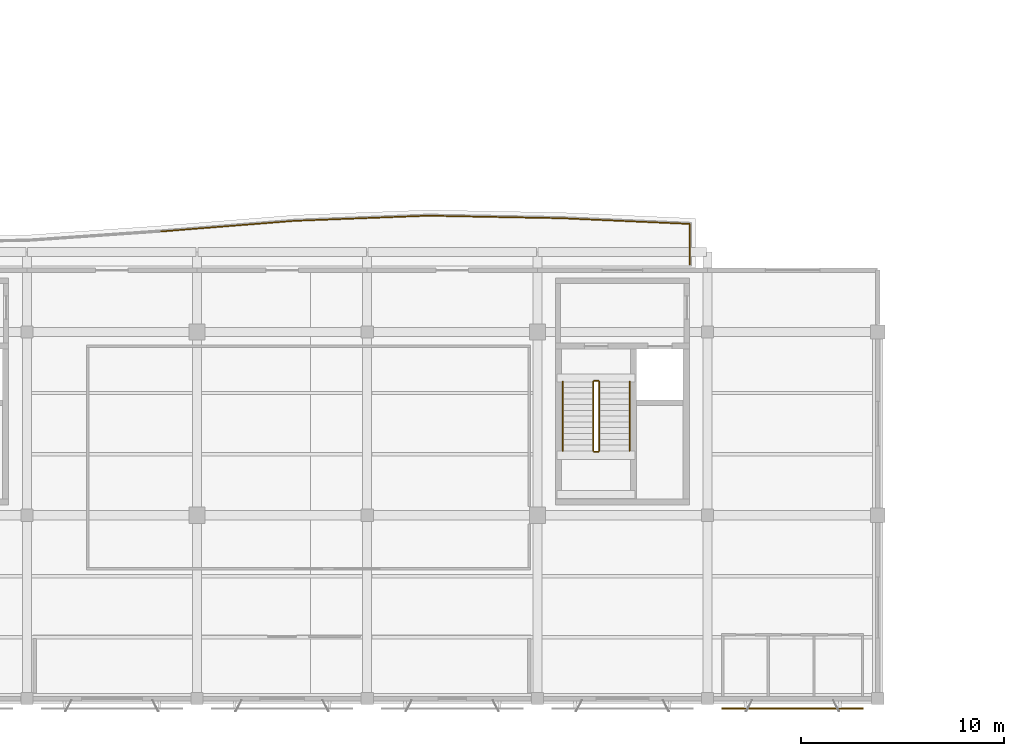
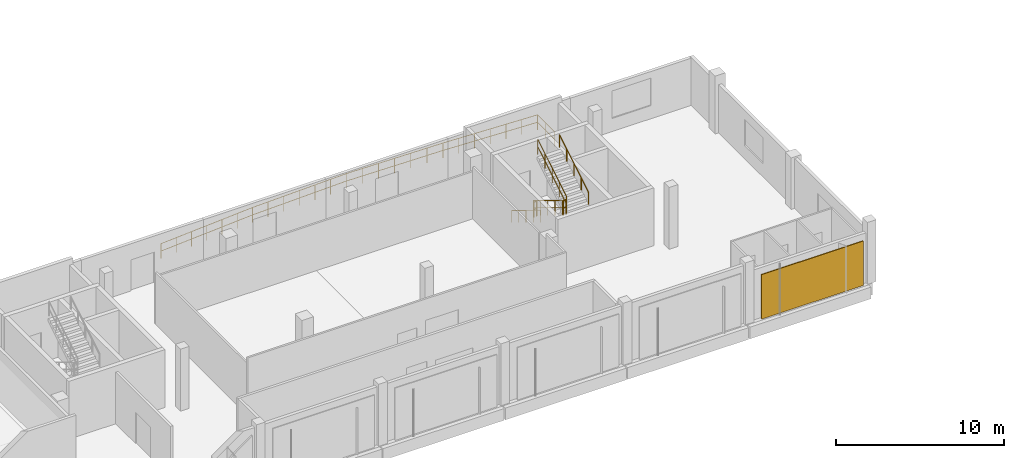
# One storey, part 27 of 28: 11 railings, 1 shading device.
"""IFC4 building model written with IfcOpenShell, lengths in metres."""

from ifc_helpers import new_model, si_unit, direction, frame, origin, origin_2d, place, context, subcontext, project, spatial, rectangle, circle, extrude, material, layer, layer_set, type_object, element, save


model = new_model("IFC4")

# Units and contexts
model_context = context("Model", 3, precision=1e-05, world=origin(), true_north=direction((0.0, 1.0)))
body_context = subcontext(model_context, "Body", "Model", "MODEL_VIEW")
ifc_project = project(units=[si_unit("LENGTHUNIT", "METRE"), si_unit("AREAUNIT", "SQUARE_METRE"), si_unit("VOLUMEUNIT", "CUBIC_METRE"), si_unit("PLANEANGLEUNIT", "RADIAN"), si_unit("MASSUNIT", "GRAM", prefix="KILO")], contexts=[model_context])

# Site, building, storey
site_placement = place(None, origin())
site = spatial("IfcSite", under=ifc_project, at=site_placement, CompositionType="ELEMENT")
building_placement = place(site_placement, origin())
building = spatial("IfcBuilding", under=site, at=building_placement, Name="Khurvash Pelagic Aquarium", CompositionType="ELEMENT")
storey_placement = place(building_placement, frame((0.0, 0.0, 20.10009765625)))
storey = spatial("IfcBuildingStorey", under=building, at=storey_placement, Name="L04", CompositionType="ELEMENT", Elevation=20.10009765625)

# Railings
ifc_material_1 = material(Name="Laminated glass and stainless steel 316", Category="steel")
railing_type_1 = type_object("IfcRailingType", Name="BL-01", PredefinedType="BALUSTRADE", material=ifc_material_1)
railing_1_placement = place(storey_placement, frame((73.822021484375, 25.657958984375, 0.0)))
element("IfcRailing", 1, at=railing_1_placement, inside=storey, type_object=railing_type_1, Name="L04 Planted Terrace Perimeter Balustrade BL-01 0063", PredefinedType="BALUSTRADE", context=body_context, shape_type="SweptSolid", body=[
    extrude(circle(Radius=0.02392578125, at=origin_2d()), frame((0.0, 0.0, 1.076171875), z_axis=(0.996832971573, 0.079523749815, 0.0), x_axis=(-0.079523749815, 0.996832971573, 0.0)), (0.0, 0.0, 1.0), 6.615966796875),
    extrude(circle(Radius=0.02392578125, at=origin_2d()), frame((0.0, 0.0, 0.5380859375), z_axis=(0.996832971573, 0.079523749815, 0.0), x_axis=(-0.079523749815, 0.996832971573, 0.0)), (0.0, 0.0, 1.0), 6.615966796875),
    extrude(circle(Radius=0.02099609375, at=origin_2d()), origin(), (0.0, 0.0, 1.0), 1.052001953125),
    extrude(circle(Radius=0.02099609375, at=origin_2d()), frame((1.09912109375, 0.087646484375, 0.0)), (0.0, 0.0, 1.0), 1.052001953125),
    extrude(circle(Radius=0.02099609375, at=origin_2d()), frame((2.1982421875, 0.17529296875, 0.0)), (0.0, 0.0, 1.0), 1.052001953125),
    extrude(circle(Radius=0.02099609375, at=origin_2d()), frame((3.29736328125, 0.26318359375, 0.0)), (0.0, 0.0, 1.0), 1.052001953125),
    extrude(circle(Radius=0.02099609375, at=origin_2d()), frame((4.396728515625, 0.350830078125, 0.0)), (0.0, 0.0, 1.0), 1.052001953125),
    extrude(circle(Radius=0.02099609375, at=origin_2d()), frame((5.495849609375, 0.4384765625, 0.0)), (0.0, 0.0, 1.0), 1.052001953125),
    extrude(circle(Radius=0.02099609375, at=origin_2d()), frame((6.594970703125, 0.526123046875, 0.0)), (0.0, 0.0, 1.0), 1.052001953125),
])
railing_2_placement = place(storey_placement, frame((80.4169921875, 26.18408203125, 0.0)))
element("IfcRailing", 2, at=railing_2_placement, inside=storey, type_object=railing_type_1, Name="L04 Planted Terrace Perimeter Balustrade BL-01 0064", PredefinedType="BALUSTRADE", context=body_context, shape_type="SweptSolid", body=[
    extrude(circle(Radius=0.02392578125, at=origin_2d()), frame((0.0, 0.0, 1.076171875), z_axis=(0.999263361648, 0.038376217477, 0.0), x_axis=(-0.038376217477, 0.999263361648, 0.0)), (0.0, 0.0, 1.0), 6.5908203125),
    extrude(circle(Radius=0.02392578125, at=origin_2d()), frame((0.0, 0.0, 0.5380859375), z_axis=(0.999263361648, 0.038376217477, 0.0), x_axis=(-0.038376217477, 0.999263361648, 0.0)), (0.0, 0.0, 1.0), 6.5908203125),
    extrude(circle(Radius=0.02099609375, at=origin_2d()), origin(), (0.0, 0.0, 1.0), 1.052001953125),
    extrude(circle(Radius=0.02099609375, at=origin_2d()), frame((1.09765625, 0.042236328125, 0.0)), (0.0, 0.0, 1.0), 1.052001953125),
    extrude(circle(Radius=0.02099609375, at=origin_2d()), frame((2.1953125, 0.084228515625, 0.0)), (0.0, 0.0, 1.0), 1.052001953125),
    extrude(circle(Radius=0.02099609375, at=origin_2d()), frame((3.29296875, 0.12646484375, 0.0)), (0.0, 0.0, 1.0), 1.052001953125),
    extrude(circle(Radius=0.02099609375, at=origin_2d()), frame((4.390625, 0.168701171875, 0.0)), (0.0, 0.0, 1.0), 1.052001953125),
    extrude(circle(Radius=0.02099609375, at=origin_2d()), frame((5.48828125, 0.210693359375, 0.0)), (0.0, 0.0, 1.0), 1.052001953125),
    extrude(circle(Radius=0.02099609375, at=origin_2d()), frame((6.5859375, 0.2529296875, 0.0)), (0.0, 0.0, 1.0), 1.052001953125),
])
railing_3_placement = place(storey_placement, frame((87.0029296875, 26.43701171875, 0.0)))
element("IfcRailing", 3, at=railing_3_placement, inside=storey, type_object=railing_type_1, Name="L04 Planted Terrace Perimeter Balustrade BL-01 0065", PredefinedType="BALUSTRADE", context=body_context, shape_type="SweptSolid", body=[
    extrude(circle(Radius=0.02392578125, at=origin_2d()), frame((0.0, 0.0, 1.076171875), z_axis=(0.999820051661, -0.018970089548, 0.0), x_axis=(0.018970089548, 0.999820051661, 0.0)), (0.0, 0.0, 1.0), 6.58935546875),
    extrude(circle(Radius=0.02392578125, at=origin_2d()), frame((0.0, 0.0, 0.5380859375), z_axis=(0.999820051661, -0.018970089548, 0.0), x_axis=(0.018970089548, 0.999820051661, 0.0)), (0.0, 0.0, 1.0), 6.58935546875),
    extrude(circle(Radius=0.02099609375, at=origin_2d()), origin(), (0.0, 0.0, 1.0), 1.052001953125),
    extrude(circle(Radius=0.02099609375, at=origin_2d()), frame((1.09814453125, -0.020751953125, 0.0)), (0.0, 0.0, 1.0), 1.052001953125),
    extrude(circle(Radius=0.02099609375, at=origin_2d()), frame((2.196044921875, -0.041748046875, 0.0)), (0.0, 0.0, 1.0), 1.052001953125),
    extrude(circle(Radius=0.02099609375, at=origin_2d()), frame((3.2939453125, -0.0625, 0.0)), (0.0, 0.0, 1.0), 1.052001953125),
    extrude(circle(Radius=0.02099609375, at=origin_2d()), frame((4.39208984375, -0.083251953125, 0.0)), (0.0, 0.0, 1.0), 1.052001953125),
    extrude(circle(Radius=0.02099609375, at=origin_2d()), frame((5.490234375, -0.104248046875, 0.0)), (0.0, 0.0, 1.0), 1.052001953125),
    extrude(circle(Radius=0.02099609375, at=origin_2d()), frame((6.588134765625, -0.125, 0.0)), (0.0, 0.0, 1.0), 1.052001953125),
])
railing_4_placement = place(storey_placement, frame((93.591064453125, 26.31201171875, 0.0)))
element("IfcRailing", 4, at=railing_4_placement, inside=storey, type_object=railing_type_1, Name="L04 Planted Terrace Perimeter Balustrade BL-01 0066", PredefinedType="BALUSTRADE", context=body_context, shape_type="SweptSolid", body=[
    extrude(circle(Radius=0.02392578125, at=origin_2d()), frame((0.0, 0.0, 1.076171875), z_axis=(0.999022562013, -0.044203173962, 0.0), x_axis=(0.044203173962, 0.999022562013, 0.0)), (0.0, 0.0, 1.0), 6.3349609375),
    extrude(circle(Radius=0.02392578125, at=origin_2d()), frame((0.0, 0.0, 0.5380859375), z_axis=(0.999022562013, -0.044203173962, 0.0), x_axis=(0.044203173962, 0.999022562013, 0.0)), (0.0, 0.0, 1.0), 6.3349609375),
    extrude(circle(Radius=0.02099609375, at=origin_2d()), origin(), (0.0, 0.0, 1.0), 1.052001953125),
    extrude(circle(Radius=0.02099609375, at=origin_2d()), frame((1.0546875, -0.046630859375, 0.0)), (0.0, 0.0, 1.0), 1.052001953125),
    extrude(circle(Radius=0.02099609375, at=origin_2d()), frame((2.109619140625, -0.09326171875, 0.0)), (0.0, 0.0, 1.0), 1.052001953125),
    extrude(circle(Radius=0.02099609375, at=origin_2d()), frame((3.16455078125, -0.14013671875, 0.0)), (0.0, 0.0, 1.0), 1.052001953125),
    extrude(circle(Radius=0.02099609375, at=origin_2d()), frame((4.21923828125, -0.186767578125, 0.0)), (0.0, 0.0, 1.0), 1.052001953125),
    extrude(circle(Radius=0.02099609375, at=origin_2d()), frame((5.27392578125, -0.2333984375, 0.0)), (0.0, 0.0, 1.0), 1.052001953125),
    extrude(circle(Radius=0.02099609375, at=origin_2d()), frame((6.328857421875, -0.280029296875, 0.0)), (0.0, 0.0, 1.0), 1.052001953125),
])
railing_5_placement = place(storey_placement, frame((99.919921875, 26.031982421875, 0.0)))
element("IfcRailing", 5, at=railing_5_placement, inside=storey, type_object=railing_type_1, Name="L04 Planted Terrace Perimeter Balustrade BL-01 0067", PredefinedType="BALUSTRADE", context=body_context, shape_type="SweptSolid", body=[
    extrude(circle(Radius=0.02392578125, at=origin_2d()), frame((0.0, 0.0, 1.076171875), z_axis=(0.0, -1.0, 0.0), x_axis=(1.0, 0.0, 0.0)), (0.0, 0.0, 1.0), 2.001953125),
    extrude(circle(Radius=0.02392578125, at=origin_2d()), frame((0.0, 0.0, 0.5380859375), z_axis=(0.0, -1.0, 0.0), x_axis=(1.0, 0.0, 0.0)), (0.0, 0.0, 1.0), 2.001953125),
    extrude(circle(Radius=0.02099609375, at=origin_2d()), origin(), (0.0, 0.0, 1.0), 1.052001953125),
    extrude(circle(Radius=0.02099609375, at=origin_2d()), frame((0.0, -1.0009765625, 0.0)), (0.0, 0.0, 1.0), 1.052001953125),
    extrude(circle(Radius=0.02099609375, at=origin_2d()), frame((0.0, -2.001953125, 0.0)), (0.0, 0.0, 1.0), 1.052001953125),
])
ifc_material_2 = material(Name="Powder-coated galvanised steel S355J2", Category="steel")
railing_type_2 = type_object("IfcRailingType", Name="GR-01", PredefinedType="GUARDRAIL", material=ifc_material_2)
railing_6_placement = place(storey_placement, frame((95.14990234375, 18.25, 0.173095703125)))
element("IfcRailing", 6, at=railing_6_placement, inside=storey, type_object=railing_type_2, Name="L04 ST-03 stair guard 1", PredefinedType="GUARDRAIL", context=body_context, shape_type="SweptSolid", body=[
    extrude(circle(Radius=0.02392578125, at=origin_2d()), frame((0.0, 0.0, 1.076171875), z_axis=(0.0, -0.854729506542, 0.519073665916), x_axis=(1.0, 0.0, 0.0)), (0.0, 0.0, 1.0), 4.001220703125),
    extrude(circle(Radius=0.02392578125, at=origin_2d()), frame((0.0, 0.0, 0.5380859375), z_axis=(0.0, -0.854729506542, 0.519073665916), x_axis=(1.0, 0.0, 0.0)), (0.0, 0.0, 1.0), 4.001220703125),
    extrude(circle(Radius=0.02099609375, at=origin_2d()), origin(), (0.0, 0.0, 1.0), 1.052001953125),
    extrude(circle(Radius=0.02099609375, at=origin_2d()), frame((0.0, -0.85498046875, 0.519287109375)), (0.0, 0.0, 1.0), 1.052001953125),
    extrude(circle(Radius=0.02099609375, at=origin_2d()), frame((0.0, -1.7099609375, 1.03857421875)), (0.0, 0.0, 1.0), 1.052001953125),
    extrude(circle(Radius=0.02099609375, at=origin_2d()), frame((0.0, -2.56494140625, 1.5576171875)), (0.0, 0.0, 1.0), 1.052001953125),
    extrude(circle(Radius=0.02099609375, at=origin_2d()), frame((0.0, -3.419921875, 2.076904296875)), (0.0, 0.0, 1.0), 1.052001953125),
])
railing_7_placement = place(storey_placement, frame((95.199951171875, 14.780029296875, 2.25)))
element("IfcRailing", 7, at=railing_7_placement, inside=storey, type_object=railing_type_2, Name="L04 ST-03 stair guard 2", PredefinedType="GUARDRAIL", context=body_context, shape_type="SweptSolid", body=[
    extrude(circle(Radius=0.02392578125, at=origin_2d()), frame((0.0, 0.0, 1.076171875), z_axis=(1.0, 0.0, 0.0), x_axis=(0.0, 1.0, 0.0)), (0.0, 0.0, 1.0), 0.199951171875),
    extrude(circle(Radius=0.02392578125, at=origin_2d()), frame((0.0, 0.0, 0.5380859375), z_axis=(1.0, 0.0, 0.0), x_axis=(0.0, 1.0, 0.0)), (0.0, 0.0, 1.0), 0.199951171875),
    extrude(circle(Radius=0.02099609375, at=origin_2d()), origin(), (0.0, 0.0, 1.0), 1.052001953125),
    extrude(circle(Radius=0.02099609375, at=origin_2d()), frame((0.199951171875, 0.0, 0.0)), (0.0, 0.0, 1.0), 1.052001953125),
])
railing_8_placement = place(storey_placement, frame((95.449951171875, 14.830078125, 2.423095703125)))
element("IfcRailing", 8, at=railing_8_placement, inside=storey, type_object=railing_type_2, Name="L04 ST-03 stair guard 3", PredefinedType="GUARDRAIL", context=body_context, shape_type="SweptSolid", body=[
    extrude(circle(Radius=0.02392578125, at=origin_2d()), frame((0.0, 0.0, 1.076171875), z_axis=(0.0, 0.854729506542, 0.519073665916), x_axis=(-1.0, 0.0, 0.0)), (0.0, 0.0, 1.0), 4.001220703125),
    extrude(circle(Radius=0.02392578125, at=origin_2d()), frame((0.0, 0.0, 0.5380859375), z_axis=(0.0, 0.854729506542, 0.519073665916), x_axis=(-1.0, 0.0, 0.0)), (0.0, 0.0, 1.0), 4.001220703125),
    extrude(circle(Radius=0.02099609375, at=origin_2d()), origin(), (0.0, 0.0, 1.0), 1.052001953125),
    extrude(circle(Radius=0.02099609375, at=origin_2d()), frame((0.0, 0.85498046875, 0.519287109375)), (0.0, 0.0, 1.0), 1.052001953125),
    extrude(circle(Radius=0.02099609375, at=origin_2d()), frame((0.0, 1.7099609375, 1.03857421875)), (0.0, 0.0, 1.0), 1.052001953125),
    extrude(circle(Radius=0.02099609375, at=origin_2d()), frame((0.0, 2.56494140625, 1.5576171875)), (0.0, 0.0, 1.0), 1.052001953125),
    extrude(circle(Radius=0.02099609375, at=origin_2d()), frame((0.0, 3.419921875, 2.076904296875)), (0.0, 0.0, 1.0), 1.052001953125),
])
railing_9_placement = place(storey_placement, frame((95.199951171875, 18.300048828125, 0.0)))
element("IfcRailing", 9, at=railing_9_placement, inside=storey, type_object=railing_type_2, Name="L04 ST-03 stair guard 4", PredefinedType="GUARDRAIL", context=body_context, shape_type="SweptSolid", body=[
    extrude(circle(Radius=0.02392578125, at=origin_2d()), frame((0.0, 0.0, 1.076171875), z_axis=(1.0, 0.0, 0.0), x_axis=(0.0, 1.0, 0.0)), (0.0, 0.0, 1.0), 0.199951171875),
    extrude(circle(Radius=0.02392578125, at=origin_2d()), frame((0.0, 0.0, 0.5380859375), z_axis=(1.0, 0.0, 0.0), x_axis=(0.0, 1.0, 0.0)), (0.0, 0.0, 1.0), 0.199951171875),
    extrude(circle(Radius=0.02099609375, at=origin_2d()), origin(), (0.0, 0.0, 1.0), 1.052001953125),
    extrude(circle(Radius=0.02099609375, at=origin_2d()), frame((0.199951171875, 0.0, 0.0)), (0.0, 0.0, 1.0), 1.052001953125),
])
ifc_material_3 = material(Name="Brushed stainless steel 316", Category="steel")
railing_type_3 = type_object("IfcRailingType", Name="HR-01", PredefinedType="HANDRAIL", material=ifc_material_3)
railing_10_placement = place(storey_placement, frame((93.64990234375, 18.25, 0.173095703125)))
element("IfcRailing", 10, at=railing_10_placement, inside=storey, type_object=railing_type_3, Name="L04 ST-03 stair handrail 1", PredefinedType="HANDRAIL", context=body_context, shape_type="SweptSolid", body=[
    extrude(circle(Radius=0.02392578125, at=origin_2d()), frame((0.0, 0.0, 0.8759765625), z_axis=(0.0, -0.854729506542, 0.519073665916), x_axis=(1.0, 0.0, 0.0)), (0.0, 0.0, 1.0), 4.001220703125),
    extrude(circle(Radius=0.02099609375, at=origin_2d()), origin(), (0.0, 0.0, 1.0), 0.851806640625),
    extrude(circle(Radius=0.02099609375, at=origin_2d()), frame((0.0, -0.85498046875, 0.519287109375)), (0.0, 0.0, 1.0), 0.851806640625),
    extrude(circle(Radius=0.02099609375, at=origin_2d()), frame((0.0, -1.7099609375, 1.03857421875)), (0.0, 0.0, 1.0), 0.851806640625),
    extrude(circle(Radius=0.02099609375, at=origin_2d()), frame((0.0, -2.56494140625, 1.5576171875)), (0.0, 0.0, 1.0), 0.851806640625),
    extrude(circle(Radius=0.02099609375, at=origin_2d()), frame((0.0, -3.419921875, 2.076904296875)), (0.0, 0.0, 1.0), 0.851806640625),
])
railing_11_placement = place(storey_placement, frame((96.949951171875, 14.830078125, 2.423095703125)))
element("IfcRailing", 11, at=railing_11_placement, inside=storey, type_object=railing_type_3, Name="L04 ST-03 stair handrail 2", PredefinedType="HANDRAIL", context=body_context, shape_type="SweptSolid", body=[
    extrude(circle(Radius=0.02392578125, at=origin_2d()), frame((0.0, 0.0, 0.8759765625), z_axis=(0.0, 0.854729506542, 0.519073665916), x_axis=(-1.0, 0.0, 0.0)), (0.0, 0.0, 1.0), 4.001220703125),
    extrude(circle(Radius=0.02099609375, at=origin_2d()), origin(), (0.0, 0.0, 1.0), 0.851806640625),
    extrude(circle(Radius=0.02099609375, at=origin_2d()), frame((0.0, 0.85498046875, 0.519287109375)), (0.0, 0.0, 1.0), 0.851806640625),
    extrude(circle(Radius=0.02099609375, at=origin_2d()), frame((0.0, 1.7099609375, 1.03857421875)), (0.0, 0.0, 1.0), 0.851806640625),
    extrude(circle(Radius=0.02099609375, at=origin_2d()), frame((0.0, 2.56494140625, 1.5576171875)), (0.0, 0.0, 1.0), 0.851806640625),
    extrude(circle(Radius=0.02099609375, at=origin_2d()), frame((0.0, 3.419921875, 2.076904296875)), (0.0, 0.0, 1.0), 0.851806640625),
])

# Shading device
ifc_material_4 = material(Name="Perforated anodised aluminium AW-5005", Category="aluminium")
ifc_layer = layer(ifc_material_4, 0.06005859375)
ifc_layer_set = layer_set([ifc_layer], Name="Perforated anodised aluminium AW-5005")
shading_device_type = type_object("IfcShadingDeviceType", Name="SH-JAL", PredefinedType="JALOUSIE", material=ifc_layer_set)
shading_device_placement = place(storey_placement, frame((105.0, 2.110107421875, 0.200439453125), z_axis=(0.0, 0.0, 1.0), x_axis=(1.0, 0.0, 0.0)))
element("IfcShadingDevice", 12, at=shading_device_placement, inside=storey, type_object=shading_device_type, Name="L04 Perforated Aluminium Jali Screen SH-JAL 0064", PredefinedType="JALOUSIE", context=body_context, shape_type="SweptSolid", body=[
    extrude(rectangle(XDim=6.989990234375, YDim=0.06005859375, at=origin_2d()), origin(), (0.0, 0.0, 1.0), 3.23095703125),
])

save(model, "model.ifc")
